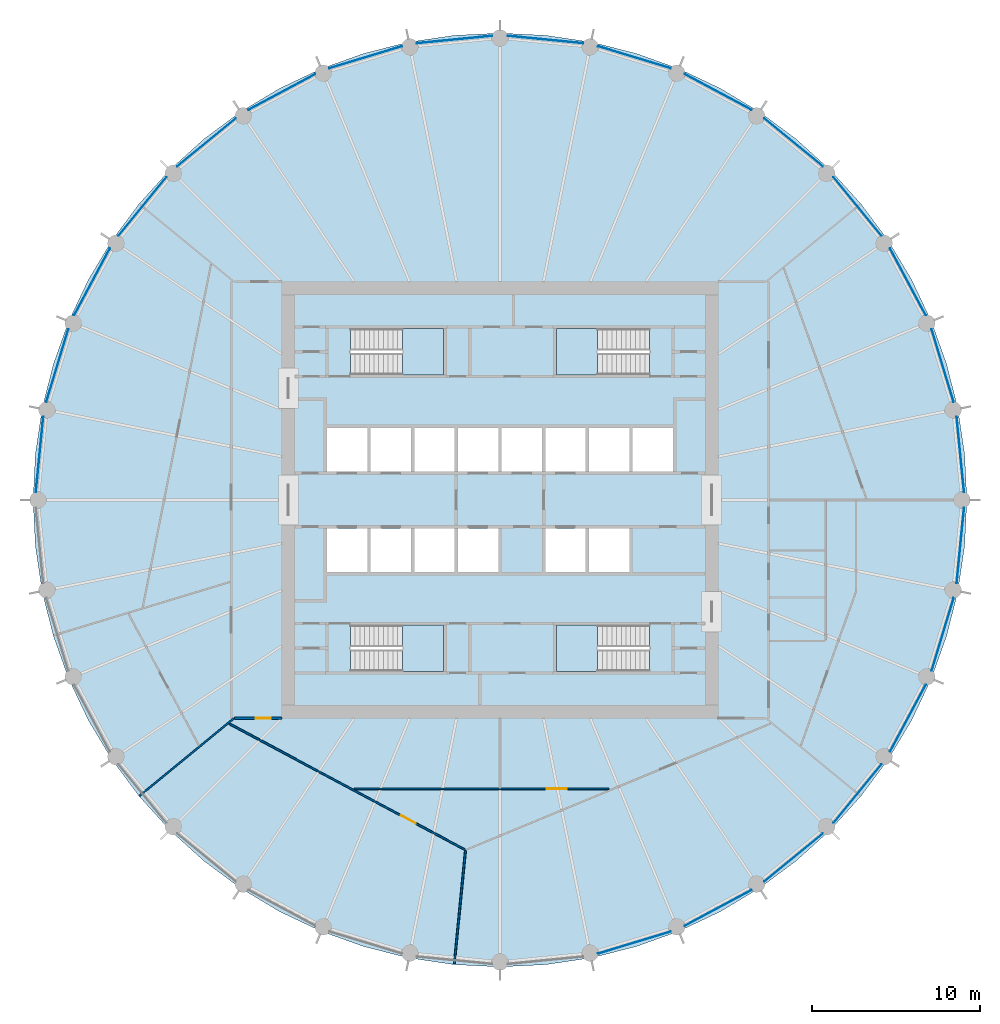
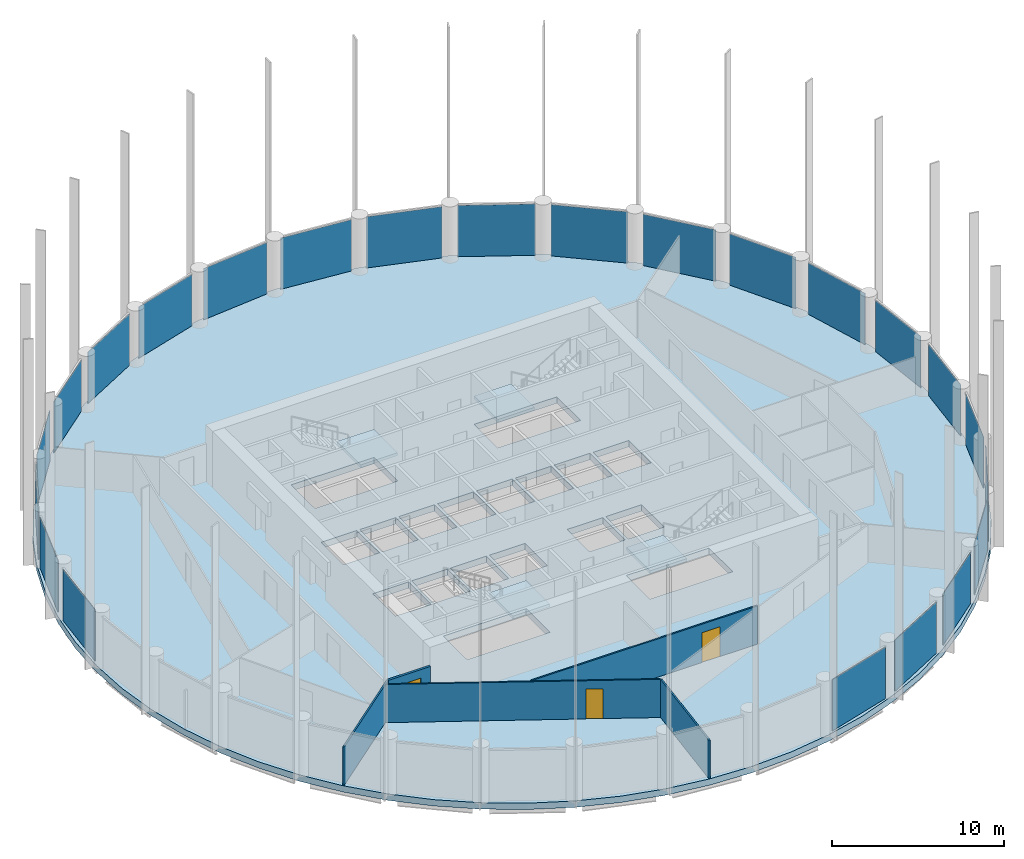
# One storey, part 3 of 8: 23 plates, 5 slabs, 5 walls, 3 doors, 3 openings, 27 elements without a shape of their own.
"""IFC4 building model written with IfcOpenShell, lengths in metres."""

from ifc_helpers import new_model, si_unit, direction, frame, frame_2d, origin, origin_2d, place, context, subcontext, project, spatial, polyline, rectangle, outline, extrude, material, layer, layer_set, type_object, element, fill, aggregate, save


model = new_model("IFC4")

# Units and contexts
model_context = context("Model", 3, precision=1e-05, world=origin(), true_north=direction((0.0, 1.0)))
body_context = subcontext(model_context, "Body", "Model", "MODEL_VIEW")
ifc_project = project(units=[si_unit("LENGTHUNIT", "METRE"), si_unit("AREAUNIT", "SQUARE_METRE"), si_unit("VOLUMEUNIT", "CUBIC_METRE"), si_unit("PLANEANGLEUNIT", "RADIAN"), si_unit("MASSUNIT", "GRAM", prefix="KILO")], contexts=[model_context])

# Site, building, storey
site_placement = place(None, origin())
site = spatial("IfcSite", under=ifc_project, at=site_placement, CompositionType="ELEMENT")
building_placement = place(site_placement, origin())
building = spatial("IfcBuilding", under=site, at=building_placement, Name="Corvane Civic Tower", CompositionType="ELEMENT")
storey_placement = place(building_placement, frame((0.0, 0.0, 201.5)))
storey = spatial("IfcBuildingStorey", under=building, at=storey_placement, Name="L47", CompositionType="ELEMENT", Elevation=201.5)

# Stair, slab
ifc_material_1 = material(Name="Concrete C40/50", Category="concrete")
stair_type = type_object("IfcStairType", Name="ST-STAIR-HALFTURN", PredefinedType="HALF_TURN_STAIR", material=ifc_material_1)
stair_1_placement = place(storey_placement, origin())
stair_1 = element("IfcStair", 1, at=stair_1_placement, inside=storey, type_object=stair_type, Name="L47 Exit stair ST1", PredefinedType="HALF_TURN_STAIR")
ifc_material_2 = material(Name="Concrete C40/50", Category="concrete")
ifc_layer_1 = layer(ifc_material_2, 0.199951171875)
ifc_layer_set_1 = layer_set([ifc_layer_1], Name="Concrete C40/50")
slab_type_1 = type_object("IfcSlabType", Name="ST-LANDING-RC", PredefinedType="LANDING", material=ifc_layer_set_1)
slab_1_placement = place(storey_placement, frame((0.0, 0.0, 1.800048828125)))
slab_1 = element("IfcSlab", 2, at=slab_1_placement, type_object=slab_type_1, Name="ST1 landing 1", PredefinedType="LANDING", context=body_context, shape_type="SweptSolid", body=[
    extrude(outline(polyline([(5.820068359375, 10.199951171875), (3.35009765625, 10.199951171875), (3.35009765625, 7.449951171875), (5.820068359375, 7.449951171875), (5.820068359375, 10.199951171875)])), origin(), (0.0, 0.0, 1.0), 0.199951171875),
])
aggregate(stair_1, [slab_1])

stair_2_placement = place(storey_placement, origin())
stair_2 = element("IfcStair", 3, at=stair_2_placement, inside=storey, type_object=stair_type, Name="L47 Exit stair ST2", PredefinedType="HALF_TURN_STAIR")
slab_2_placement = place(storey_placement, frame((0.0, 0.0, 1.800048828125)))
slab_2 = element("IfcSlab", 4, at=slab_2_placement, type_object=slab_type_1, Name="ST2 landing 1", PredefinedType="LANDING", context=body_context, shape_type="SweptSolid", body=[
    extrude(outline(polyline([(5.820068359375, -7.449951171875), (3.35009765625, -7.449951171875), (3.35009765625, -10.199951171875), (5.820068359375, -10.199951171875), (5.820068359375, -7.449951171875)])), origin(), (0.0, 0.0, 1.0), 0.199951171875),
])
aggregate(stair_2, [slab_2])

stair_3_placement = place(storey_placement, origin())
stair_3 = element("IfcStair", 5, at=stair_3_placement, inside=storey, type_object=stair_type, Name="L47 Exit stair ST3", PredefinedType="HALF_TURN_STAIR")
slab_3_placement = place(storey_placement, frame((0.0, 0.0, 1.800048828125)))
slab_3 = element("IfcSlab", 6, at=slab_3_placement, type_object=slab_type_1, Name="ST3 landing 1", PredefinedType="LANDING", context=body_context, shape_type="SweptSolid", body=[
    extrude(outline(polyline([(-5.820068359375, -10.199951171875), (-3.35009765625, -10.199951171875), (-3.35009765625, -7.449951171875), (-5.820068359375, -7.449951171875), (-5.820068359375, -10.199951171875)])), origin(), (0.0, 0.0, 1.0), 0.199951171875),
])
aggregate(stair_3, [slab_3])

stair_4_placement = place(storey_placement, origin())
stair_4 = element("IfcStair", 7, at=stair_4_placement, inside=storey, type_object=stair_type, Name="L47 Exit stair ST4", PredefinedType="HALF_TURN_STAIR")
slab_4_placement = place(storey_placement, frame((0.0, 0.0, 1.800048828125)))
slab_4 = element("IfcSlab", 8, at=slab_4_placement, type_object=slab_type_1, Name="ST4 landing 1", PredefinedType="LANDING", context=body_context, shape_type="SweptSolid", body=[
    extrude(outline(polyline([(-5.820068359375, 7.449951171875), (-3.35009765625, 7.449951171875), (-3.35009765625, 10.199951171875), (-5.820068359375, 10.199951171875), (-5.820068359375, 7.449951171875)])), origin(), (0.0, 0.0, 1.0), 0.199951171875),
])
aggregate(stair_4, [slab_4])

# Curtain wall, plate
ifc_material_3 = material(Name="Anodised aluminium bronze", Category="aluminium")
curtain_wall_type = type_object("IfcCurtainWallType", Name="TOWER CW-T2 STICK CURTAIN WALL", PredefinedType="NOTDEFINED", material=ifc_material_3)
curtain_wall_1_placement = place(storey_placement, origin())
curtain_wall_1 = element("IfcCurtainWall", 9, at=curtain_wall_1_placement, inside=storey, type_object=curtain_wall_type, Name="Curtain wall CW-T2 L47 bay 01", PredefinedType="NOTDEFINED")
ifc_material_4 = material(Name="Tinted glass", Category="glass")
ifc_layer_2 = layer(ifc_material_4, 0.031982421875)
ifc_layer_set_2 = layer_set([ifc_layer_2], Name="Tinted glass")
plate_type = type_object("IfcPlateType", Name="TOWER CW-T2 PANEL IGU32", PredefinedType="CURTAIN_PANEL", material=ifc_layer_set_2)
plate_1_placement = place(storey_placement, frame((2.699951171875, 27.4140625, 0.0), z_axis=(0.0, 0.0, 1.0), x_axis=(0.995187058378, -0.097993463235, 0.0)))
plate_1 = element("IfcPlate", 10, at=plate_1_placement, type_object=plate_type, Name="Glass panel CW-T2 L47 01.1", PredefinedType="CURTAIN_PANEL", context=body_context, shape_type="SweptSolid", body=[
    extrude(rectangle(XDim=4.517333984375, YDim=0.031982421875, at=origin_2d()), origin(), (0.0, 0.0, 1.0), 3.6298828125),
])
aggregate(curtain_wall_1, [plate_1])

curtain_wall_2_placement = place(storey_placement, origin())
curtain_wall_2 = element("IfcCurtainWall", 11, at=curtain_wall_2_placement, inside=storey, type_object=curtain_wall_type, Name="Curtain wall CW-T2 L47 bay 02", PredefinedType="NOTDEFINED")
plate_2_placement = place(storey_placement, frame((7.996337890625, 26.360595703125, 0.0), z_axis=(0.0, 0.0, 1.0), x_axis=(0.956938843612, -0.290289596069, 0.0)))
plate_2 = element("IfcPlate", 12, at=plate_2_placement, type_object=plate_type, Name="Glass panel CW-T2 L47 02.1", PredefinedType="CURTAIN_PANEL", context=body_context, shape_type="SweptSolid", body=[
    extrude(rectangle(XDim=4.517333984375, YDim=0.031982421875, at=origin_2d()), origin(), (0.0, 0.0, 1.0), 3.6298828125),
])
aggregate(curtain_wall_2, [plate_2])

curtain_wall_3_placement = place(storey_placement, origin())
curtain_wall_3 = element("IfcCurtainWall", 13, at=curtain_wall_3_placement, inside=storey, type_object=curtain_wall_type, Name="Curtain wall CW-T2 L47 bay 03", PredefinedType="NOTDEFINED")
plate_3_placement = place(storey_placement, frame((12.9853515625, 24.294189453125, 0.0), z_axis=(0.0, 0.0, 1.0), x_axis=(0.881920381001, -0.471398389449, 0.0)))
plate_3 = element("IfcPlate", 14, at=plate_3_placement, type_object=plate_type, Name="Glass panel CW-T2 L47 03.1", PredefinedType="CURTAIN_PANEL", context=body_context, shape_type="SweptSolid", body=[
    extrude(rectangle(XDim=4.517333984375, YDim=0.031982421875, at=origin_2d()), origin(), (0.0, 0.0, 1.0), 3.6298828125),
])
aggregate(curtain_wall_3, [plate_3])

curtain_wall_4_placement = place(storey_placement, origin())
curtain_wall_4 = element("IfcCurtainWall", 15, at=curtain_wall_4_placement, inside=storey, type_object=curtain_wall_type, Name="Curtain wall CW-T2 L47 bay 04", PredefinedType="NOTDEFINED")
plate_4_placement = place(storey_placement, frame((17.475341796875, 21.2939453125, 0.0), z_axis=(0.0, 0.0, 1.0), x_axis=(0.773012269331, -0.634391071394, 0.0)))
plate_4 = element("IfcPlate", 16, at=plate_4_placement, type_object=plate_type, Name="Glass panel CW-T2 L47 04.1", PredefinedType="CURTAIN_PANEL", context=body_context, shape_type="SweptSolid", body=[
    extrude(rectangle(XDim=4.517333984375, YDim=0.031982421875, at=origin_2d()), origin(), (0.0, 0.0, 1.0), 3.6298828125),
])
aggregate(curtain_wall_4, [plate_4])

curtain_wall_5_placement = place(storey_placement, origin())
curtain_wall_5 = element("IfcCurtainWall", 17, at=curtain_wall_5_placement, inside=storey, type_object=curtain_wall_type, Name="Curtain wall CW-T2 L47 bay 05", PredefinedType="NOTDEFINED")
plate_5_placement = place(storey_placement, frame((21.2939453125, 17.475341796875, 0.0), z_axis=(0.0, 0.0, 1.0), x_axis=(0.634391071394, -0.773012269331, 0.0)))
plate_5 = element("IfcPlate", 18, at=plate_5_placement, type_object=plate_type, Name="Glass panel CW-T2 L47 05.1", PredefinedType="CURTAIN_PANEL", context=body_context, shape_type="SweptSolid", body=[
    extrude(rectangle(XDim=4.517333984375, YDim=0.031982421875, at=origin_2d()), origin(), (0.0, 0.0, 1.0), 3.6298828125),
])
aggregate(curtain_wall_5, [plate_5])

curtain_wall_6_placement = place(storey_placement, origin())
curtain_wall_6 = element("IfcCurtainWall", 19, at=curtain_wall_6_placement, inside=storey, type_object=curtain_wall_type, Name="Curtain wall CW-T2 L47 bay 06", PredefinedType="NOTDEFINED")
plate_6_placement = place(storey_placement, frame((24.294189453125, 12.9853515625, 0.0), z_axis=(0.0, 0.0, 1.0), x_axis=(0.471398389449, -0.881920381001, 0.0)))
plate_6 = element("IfcPlate", 20, at=plate_6_placement, type_object=plate_type, Name="Glass panel CW-T2 L47 06.1", PredefinedType="CURTAIN_PANEL", context=body_context, shape_type="SweptSolid", body=[
    extrude(rectangle(XDim=4.517333984375, YDim=0.031982421875, at=origin_2d()), origin(), (0.0, 0.0, 1.0), 3.6298828125),
])
aggregate(curtain_wall_6, [plate_6])

curtain_wall_7_placement = place(storey_placement, origin())
curtain_wall_7 = element("IfcCurtainWall", 21, at=curtain_wall_7_placement, inside=storey, type_object=curtain_wall_type, Name="Curtain wall CW-T2 L47 bay 07", PredefinedType="NOTDEFINED")
plate_7_placement = place(storey_placement, frame((26.360595703125, 7.996337890625, 0.0), z_axis=(0.0, 0.0, 1.0), x_axis=(0.290289596069, -0.956938843612, 0.0)))
plate_7 = element("IfcPlate", 22, at=plate_7_placement, type_object=plate_type, Name="Glass panel CW-T2 L47 07.1", PredefinedType="CURTAIN_PANEL", context=body_context, shape_type="SweptSolid", body=[
    extrude(rectangle(XDim=4.517333984375, YDim=0.031982421875, at=origin_2d()), origin(), (0.0, 0.0, 1.0), 3.6298828125),
])
aggregate(curtain_wall_7, [plate_7])

curtain_wall_8_placement = place(storey_placement, origin())
curtain_wall_8 = element("IfcCurtainWall", 23, at=curtain_wall_8_placement, inside=storey, type_object=curtain_wall_type, Name="Curtain wall CW-T2 L47 bay 08", PredefinedType="NOTDEFINED")
plate_8_placement = place(storey_placement, frame((27.4140625, 2.699951171875, 0.0), z_axis=(0.0, 0.0, 1.0), x_axis=(0.097993463235, -0.995187058378, 0.0)))
plate_8 = element("IfcPlate", 24, at=plate_8_placement, type_object=plate_type, Name="Glass panel CW-T2 L47 08.1", PredefinedType="CURTAIN_PANEL", context=body_context, shape_type="SweptSolid", body=[
    extrude(rectangle(XDim=4.517333984375, YDim=0.031982421875, at=origin_2d()), origin(), (0.0, 0.0, 1.0), 3.6298828125),
])
aggregate(curtain_wall_8, [plate_8])

curtain_wall_9_placement = place(storey_placement, origin())
curtain_wall_9 = element("IfcCurtainWall", 25, at=curtain_wall_9_placement, inside=storey, type_object=curtain_wall_type, Name="Curtain wall CW-T2 L47 bay 09", PredefinedType="NOTDEFINED")
plate_9_placement = place(storey_placement, frame((27.4140625, -2.699951171875, 0.0), z_axis=(0.0, 0.0, 1.0), x_axis=(-0.097993463235, -0.995187058378, 0.0)))
plate_9 = element("IfcPlate", 26, at=plate_9_placement, type_object=plate_type, Name="Glass panel CW-T2 L47 09.1", PredefinedType="CURTAIN_PANEL", context=body_context, shape_type="SweptSolid", body=[
    extrude(rectangle(XDim=4.517333984375, YDim=0.031982421875, at=origin_2d()), origin(), (0.0, 0.0, 1.0), 3.6298828125),
])
aggregate(curtain_wall_9, [plate_9])

curtain_wall_10_placement = place(storey_placement, origin())
curtain_wall_10 = element("IfcCurtainWall", 27, at=curtain_wall_10_placement, inside=storey, type_object=curtain_wall_type, Name="Curtain wall CW-T2 L47 bay 10", PredefinedType="NOTDEFINED")
plate_10_placement = place(storey_placement, frame((26.360595703125, -7.996337890625, 0.0), z_axis=(0.0, 0.0, 1.0), x_axis=(-0.290289596069, -0.956938843612, 0.0)))
plate_10 = element("IfcPlate", 28, at=plate_10_placement, type_object=plate_type, Name="Glass panel CW-T2 L47 10.1", PredefinedType="CURTAIN_PANEL", context=body_context, shape_type="SweptSolid", body=[
    extrude(rectangle(XDim=4.517333984375, YDim=0.031982421875, at=origin_2d()), origin(), (0.0, 0.0, 1.0), 3.6298828125),
])
aggregate(curtain_wall_10, [plate_10])

curtain_wall_11_placement = place(storey_placement, origin())
curtain_wall_11 = element("IfcCurtainWall", 29, at=curtain_wall_11_placement, inside=storey, type_object=curtain_wall_type, Name="Curtain wall CW-T2 L47 bay 11", PredefinedType="NOTDEFINED")
plate_11_placement = place(storey_placement, frame((24.294189453125, -12.9853515625, 0.0), z_axis=(0.0, 0.0, 1.0), x_axis=(-0.471398389449, -0.881920381001, 0.0)))
plate_11 = element("IfcPlate", 30, at=plate_11_placement, type_object=plate_type, Name="Glass panel CW-T2 L47 11.1", PredefinedType="CURTAIN_PANEL", context=body_context, shape_type="SweptSolid", body=[
    extrude(rectangle(XDim=4.517333984375, YDim=0.031982421875, at=origin_2d()), origin(), (0.0, 0.0, 1.0), 3.6298828125),
])
aggregate(curtain_wall_11, [plate_11])

curtain_wall_12_placement = place(storey_placement, origin())
curtain_wall_12 = element("IfcCurtainWall", 31, at=curtain_wall_12_placement, inside=storey, type_object=curtain_wall_type, Name="Curtain wall CW-T2 L47 bay 12", PredefinedType="NOTDEFINED")
plate_12_placement = place(storey_placement, frame((21.2939453125, -17.475341796875, 0.0), z_axis=(0.0, 0.0, 1.0), x_axis=(-0.634391071394, -0.773012269331, 0.0)))
plate_12 = element("IfcPlate", 32, at=plate_12_placement, type_object=plate_type, Name="Glass panel CW-T2 L47 12.1", PredefinedType="CURTAIN_PANEL", context=body_context, shape_type="SweptSolid", body=[
    extrude(rectangle(XDim=4.517333984375, YDim=0.031982421875, at=origin_2d()), origin(), (0.0, 0.0, 1.0), 3.6298828125),
])
aggregate(curtain_wall_12, [plate_12])

curtain_wall_13_placement = place(storey_placement, origin())
curtain_wall_13 = element("IfcCurtainWall", 33, at=curtain_wall_13_placement, inside=storey, type_object=curtain_wall_type, Name="Curtain wall CW-T2 L47 bay 13", PredefinedType="NOTDEFINED")
plate_13_placement = place(storey_placement, frame((17.475341796875, -21.2939453125, 0.0), z_axis=(0.0, 0.0, 1.0), x_axis=(-0.773012269331, -0.634391071394, 0.0)))
plate_13 = element("IfcPlate", 34, at=plate_13_placement, type_object=plate_type, Name="Glass panel CW-T2 L47 13.1", PredefinedType="CURTAIN_PANEL", context=body_context, shape_type="SweptSolid", body=[
    extrude(rectangle(XDim=4.517333984375, YDim=0.031982421875, at=origin_2d()), origin(), (0.0, 0.0, 1.0), 3.6298828125),
])
aggregate(curtain_wall_13, [plate_13])

curtain_wall_14_placement = place(storey_placement, origin())
curtain_wall_14 = element("IfcCurtainWall", 35, at=curtain_wall_14_placement, inside=storey, type_object=curtain_wall_type, Name="Curtain wall CW-T2 L47 bay 14", PredefinedType="NOTDEFINED")
plate_14_placement = place(storey_placement, frame((12.9853515625, -24.294189453125, 0.0), z_axis=(0.0, 0.0, 1.0), x_axis=(-0.881920381001, -0.471398389449, 0.0)))
plate_14 = element("IfcPlate", 36, at=plate_14_placement, type_object=plate_type, Name="Glass panel CW-T2 L47 14.1", PredefinedType="CURTAIN_PANEL", context=body_context, shape_type="SweptSolid", body=[
    extrude(rectangle(XDim=4.517333984375, YDim=0.031982421875, at=origin_2d()), origin(), (0.0, 0.0, 1.0), 3.6298828125),
])
aggregate(curtain_wall_14, [plate_14])

curtain_wall_15_placement = place(storey_placement, origin())
curtain_wall_15 = element("IfcCurtainWall", 37, at=curtain_wall_15_placement, inside=storey, type_object=curtain_wall_type, Name="Curtain wall CW-T2 L47 bay 15", PredefinedType="NOTDEFINED")
plate_15_placement = place(storey_placement, frame((7.996337890625, -26.360595703125, 0.0), z_axis=(0.0, 0.0, 1.0), x_axis=(-0.956938843612, -0.290289596069, 0.0)))
plate_15 = element("IfcPlate", 38, at=plate_15_placement, type_object=plate_type, Name="Glass panel CW-T2 L47 15.1", PredefinedType="CURTAIN_PANEL", context=body_context, shape_type="SweptSolid", body=[
    extrude(rectangle(XDim=4.517333984375, YDim=0.031982421875, at=origin_2d()), origin(), (0.0, 0.0, 1.0), 3.6298828125),
])
aggregate(curtain_wall_15, [plate_15])

curtain_wall_16_placement = place(storey_placement, origin())
curtain_wall_16 = element("IfcCurtainWall", 39, at=curtain_wall_16_placement, inside=storey, type_object=curtain_wall_type, Name="Curtain wall CW-T2 L47 bay 25", PredefinedType="NOTDEFINED")
plate_16_placement = place(storey_placement, frame((-27.4140625, 2.699951171875, 0.0), z_axis=(0.0, 0.0, 1.0), x_axis=(0.097993463235, 0.995187058378, 0.0)))
plate_16 = element("IfcPlate", 40, at=plate_16_placement, type_object=plate_type, Name="Glass panel CW-T2 L47 25.1", PredefinedType="CURTAIN_PANEL", context=body_context, shape_type="SweptSolid", body=[
    extrude(rectangle(XDim=4.517333984375, YDim=0.031982421875, at=origin_2d()), origin(), (0.0, 0.0, 1.0), 3.6298828125),
])
aggregate(curtain_wall_16, [plate_16])

curtain_wall_17_placement = place(storey_placement, origin())
curtain_wall_17 = element("IfcCurtainWall", 41, at=curtain_wall_17_placement, inside=storey, type_object=curtain_wall_type, Name="Curtain wall CW-T2 L47 bay 26", PredefinedType="NOTDEFINED")
plate_17_placement = place(storey_placement, frame((-26.360595703125, 7.996337890625, 0.0), z_axis=(0.0, 0.0, 1.0), x_axis=(0.290289596069, 0.956938843612, 0.0)))
plate_17 = element("IfcPlate", 42, at=plate_17_placement, type_object=plate_type, Name="Glass panel CW-T2 L47 26.1", PredefinedType="CURTAIN_PANEL", context=body_context, shape_type="SweptSolid", body=[
    extrude(rectangle(XDim=4.517333984375, YDim=0.031982421875, at=origin_2d()), origin(), (0.0, 0.0, 1.0), 3.6298828125),
])
aggregate(curtain_wall_17, [plate_17])

curtain_wall_18_placement = place(storey_placement, origin())
curtain_wall_18 = element("IfcCurtainWall", 43, at=curtain_wall_18_placement, inside=storey, type_object=curtain_wall_type, Name="Curtain wall CW-T2 L47 bay 27", PredefinedType="NOTDEFINED")
plate_18_placement = place(storey_placement, frame((-24.294189453125, 12.9853515625, 0.0), z_axis=(0.0, 0.0, 1.0), x_axis=(0.471398389449, 0.881920381001, 0.0)))
plate_18 = element("IfcPlate", 44, at=plate_18_placement, type_object=plate_type, Name="Glass panel CW-T2 L47 27.1", PredefinedType="CURTAIN_PANEL", context=body_context, shape_type="SweptSolid", body=[
    extrude(rectangle(XDim=4.517333984375, YDim=0.031982421875, at=origin_2d()), origin(), (0.0, 0.0, 1.0), 3.6298828125),
])
aggregate(curtain_wall_18, [plate_18])

curtain_wall_19_placement = place(storey_placement, origin())
curtain_wall_19 = element("IfcCurtainWall", 45, at=curtain_wall_19_placement, inside=storey, type_object=curtain_wall_type, Name="Curtain wall CW-T2 L47 bay 28", PredefinedType="NOTDEFINED")
plate_19_placement = place(storey_placement, frame((-21.2939453125, 17.475341796875, 0.0), z_axis=(0.0, 0.0, 1.0), x_axis=(0.634391071394, 0.773012269331, 0.0)))
plate_19 = element("IfcPlate", 46, at=plate_19_placement, type_object=plate_type, Name="Glass panel CW-T2 L47 28.1", PredefinedType="CURTAIN_PANEL", context=body_context, shape_type="SweptSolid", body=[
    extrude(rectangle(XDim=4.517333984375, YDim=0.031982421875, at=origin_2d()), origin(), (0.0, 0.0, 1.0), 3.6298828125),
])
aggregate(curtain_wall_19, [plate_19])

curtain_wall_20_placement = place(storey_placement, origin())
curtain_wall_20 = element("IfcCurtainWall", 47, at=curtain_wall_20_placement, inside=storey, type_object=curtain_wall_type, Name="Curtain wall CW-T2 L47 bay 29", PredefinedType="NOTDEFINED")
plate_20_placement = place(storey_placement, frame((-17.475341796875, 21.2939453125, 0.0), z_axis=(0.0, 0.0, 1.0), x_axis=(0.773012269331, 0.634391071394, 0.0)))
plate_20 = element("IfcPlate", 48, at=plate_20_placement, type_object=plate_type, Name="Glass panel CW-T2 L47 29.1", PredefinedType="CURTAIN_PANEL", context=body_context, shape_type="SweptSolid", body=[
    extrude(rectangle(XDim=4.517333984375, YDim=0.031982421875, at=origin_2d()), origin(), (0.0, 0.0, 1.0), 3.6298828125),
])
aggregate(curtain_wall_20, [plate_20])

curtain_wall_21_placement = place(storey_placement, origin())
curtain_wall_21 = element("IfcCurtainWall", 49, at=curtain_wall_21_placement, inside=storey, type_object=curtain_wall_type, Name="Curtain wall CW-T2 L47 bay 30", PredefinedType="NOTDEFINED")
plate_21_placement = place(storey_placement, frame((-12.9853515625, 24.294189453125, 0.0), z_axis=(0.0, 0.0, 1.0), x_axis=(0.881920381001, 0.471398389449, 0.0)))
plate_21 = element("IfcPlate", 50, at=plate_21_placement, type_object=plate_type, Name="Glass panel CW-T2 L47 30.1", PredefinedType="CURTAIN_PANEL", context=body_context, shape_type="SweptSolid", body=[
    extrude(rectangle(XDim=4.517333984375, YDim=0.031982421875, at=origin_2d()), origin(), (0.0, 0.0, 1.0), 3.6298828125),
])
aggregate(curtain_wall_21, [plate_21])

curtain_wall_22_placement = place(storey_placement, origin())
curtain_wall_22 = element("IfcCurtainWall", 51, at=curtain_wall_22_placement, inside=storey, type_object=curtain_wall_type, Name="Curtain wall CW-T2 L47 bay 31", PredefinedType="NOTDEFINED")
plate_22_placement = place(storey_placement, frame((-7.996337890625, 26.360595703125, 0.0), z_axis=(0.0, 0.0, 1.0), x_axis=(0.956938843612, 0.290289596069, 0.0)))
plate_22 = element("IfcPlate", 52, at=plate_22_placement, type_object=plate_type, Name="Glass panel CW-T2 L47 31.1", PredefinedType="CURTAIN_PANEL", context=body_context, shape_type="SweptSolid", body=[
    extrude(rectangle(XDim=4.517333984375, YDim=0.031982421875, at=origin_2d()), origin(), (0.0, 0.0, 1.0), 3.6298828125),
])
aggregate(curtain_wall_22, [plate_22])

curtain_wall_23_placement = place(storey_placement, origin())
curtain_wall_23 = element("IfcCurtainWall", 53, at=curtain_wall_23_placement, inside=storey, type_object=curtain_wall_type, Name="Curtain wall CW-T2 L47 bay 32", PredefinedType="NOTDEFINED")
plate_23_placement = place(storey_placement, frame((-2.699951171875, 27.4140625, 0.0), z_axis=(0.0, 0.0, 1.0), x_axis=(0.995187058378, 0.097993463235, 0.0)))
plate_23 = element("IfcPlate", 54, at=plate_23_placement, type_object=plate_type, Name="Glass panel CW-T2 L47 32.1", PredefinedType="CURTAIN_PANEL", context=body_context, shape_type="SweptSolid", body=[
    extrude(rectangle(XDim=4.517333984375, YDim=0.031982421875, at=origin_2d()), origin(), (0.0, 0.0, 1.0), 3.6298828125),
])
aggregate(curtain_wall_23, [plate_23])

# Slab
ifc_material_5 = material(Name="Concrete C50/60", Category="concrete")
ifc_layer_3 = layer(ifc_material_5, 0.449951171875)
ifc_layer_set_3 = layer_set([ifc_layer_3], Name="Concrete C50/60")
slab_type_2 = type_object("IfcSlabType", Name="TRANSFER FLOOR SLAB 450", PredefinedType="FLOOR", material=ifc_layer_set_3)
slab_5_placement = place(storey_placement, frame((0.0, 0.0, -0.449951171875)))
element("IfcSlab", 55, at=slab_5_placement, inside=storey, type_object=slab_type_2, Name="SLB-L47", PredefinedType="FLOOR", context=body_context, shape_type="SweptSolid", body=[
    extrude(outline(polyline([(0.0, 27.800048828125), (-2.724853515625, 27.666015625), (-5.423583984375, 27.265869140625), (-8.06982421875, 26.60302734375), (-10.638671875, 25.683837890625), (-13.104736328125, 24.517333984375), (-15.44482421875, 23.11474609375), (-17.63623046875, 21.48974609375), (-19.657470703125, 19.657470703125), (-21.48974609375, 17.63623046875), (-23.11474609375, 15.44482421875), (-24.517333984375, 13.104736328125), (-25.683837890625, 10.638671875), (-26.60302734375, 8.06982421875), (-27.265869140625, 5.423583984375), (-27.666015625, 2.724853515625), (-27.800048828125, 0.0), (-27.666015625, -2.724853515625), (-27.265869140625, -5.423583984375), (-26.60302734375, -8.06982421875), (-25.683837890625, -10.638671875), (-24.517333984375, -13.104736328125), (-23.11474609375, -15.44482421875), (-21.48974609375, -17.63623046875), (-19.657470703125, -19.657470703125), (-17.63623046875, -21.48974609375), (-15.44482421875, -23.11474609375), (-13.104736328125, -24.517333984375), (-10.638671875, -25.683837890625), (-8.06982421875, -26.60302734375), (-5.423583984375, -27.265869140625), (-2.724853515625, -27.666015625), (0.0, -27.800048828125), (2.724853515625, -27.666015625), (5.423583984375, -27.265869140625), (8.06982421875, -26.60302734375), (10.638671875, -25.683837890625), (13.104736328125, -24.517333984375), (15.44482421875, -23.11474609375), (17.63623046875, -21.48974609375), (19.657470703125, -19.657470703125), (21.48974609375, -17.63623046875), (23.11474609375, -15.44482421875), (24.517333984375, -13.104736328125), (25.683837890625, -10.638671875), (26.60302734375, -8.06982421875), (27.265869140625, -5.423583984375), (27.666015625, -2.724853515625), (27.800048828125, 0.0), (27.666015625, 2.724853515625), (27.265869140625, 5.423583984375), (26.60302734375, 8.06982421875), (25.683837890625, 10.638671875), (24.517333984375, 13.104736328125), (23.11474609375, 15.44482421875), (21.48974609375, 17.63623046875), (19.657470703125, 19.657470703125), (17.63623046875, 21.48974609375), (15.44482421875, 23.11474609375), (13.104736328125, 24.517333984375), (10.638671875, 25.683837890625), (8.06982421875, 26.60302734375), (5.423583984375, 27.265869140625), (2.724853515625, 27.666015625), (0.0, 27.800048828125)]), holes=[polyline([(-7.89990234375, 1.699951171875), (-10.300048828125, 1.699951171875), (-10.300048828125, 4.300048828125), (-7.89990234375, 4.300048828125), (-7.89990234375, 1.699951171875)]), polyline([(-5.300048828125, 1.699951171875), (-7.699951171875, 1.699951171875), (-7.699951171875, 4.300048828125), (-5.300048828125, 4.300048828125), (-5.300048828125, 1.699951171875)]), polyline([(-5.10009765625, 4.300048828125), (-2.699951171875, 4.300048828125), (-2.699951171875, 1.699951171875), (-5.10009765625, 1.699951171875), (-5.10009765625, 4.300048828125)]), polyline([(-2.5, 4.300048828125), (-0.10009765625, 4.300048828125), (-0.10009765625, 1.699951171875), (-2.5, 1.699951171875), (-2.5, 4.300048828125)]), polyline([(0.10009765625, 4.300048828125), (2.5, 4.300048828125), (2.5, 1.699951171875), (0.10009765625, 1.699951171875), (0.10009765625, 4.300048828125)]), polyline([(2.699951171875, 4.300048828125), (5.10009765625, 4.300048828125), (5.10009765625, 1.699951171875), (2.699951171875, 1.699951171875), (2.699951171875, 4.300048828125)]), polyline([(5.300048828125, 4.300048828125), (7.699951171875, 4.300048828125), (7.699951171875, 1.699951171875), (5.300048828125, 1.699951171875), (5.300048828125, 4.300048828125)]), polyline([(7.89990234375, 4.300048828125), (10.300048828125, 4.300048828125), (10.300048828125, 1.699951171875), (7.89990234375, 1.699951171875), (7.89990234375, 4.300048828125)]), polyline([(-10.300048828125, -4.300048828125), (-10.300048828125, -1.699951171875), (-7.89990234375, -1.699951171875), (-7.89990234375, -4.300048828125), (-10.300048828125, -4.300048828125)]), polyline([(-5.300048828125, -1.699951171875), (-5.300048828125, -4.300048828125), (-7.699951171875, -4.300048828125), (-7.699951171875, -1.699951171875), (-5.300048828125, -1.699951171875)]), polyline([(-5.10009765625, -4.300048828125), (-5.10009765625, -1.699951171875), (-2.699951171875, -1.699951171875), (-2.699951171875, -4.300048828125), (-5.10009765625, -4.300048828125)]), polyline([(-0.10009765625, -1.699951171875), (-0.10009765625, -4.300048828125), (-2.5, -4.300048828125), (-2.5, -1.699951171875), (-0.10009765625, -1.699951171875)]), polyline([(5.10009765625, -1.699951171875), (5.10009765625, -4.300048828125), (2.699951171875, -4.300048828125), (2.699951171875, -1.699951171875), (5.10009765625, -1.699951171875)]), polyline([(7.699951171875, -1.699951171875), (7.699951171875, -4.300048828125), (5.300048828125, -4.300048828125), (5.300048828125, -1.699951171875), (7.699951171875, -1.699951171875)]), polyline([(8.889892578125, 10.199951171875), (8.889892578125, 7.449951171875), (3.35009765625, 7.449951171875), (3.35009765625, 10.199951171875), (8.889892578125, 10.199951171875)]), polyline([(-8.889892578125, 7.449951171875), (-8.889892578125, 10.199951171875), (-3.35009765625, 10.199951171875), (-3.35009765625, 7.449951171875), (-8.889892578125, 7.449951171875)]), polyline([(8.889892578125, -7.449951171875), (8.889892578125, -10.199951171875), (3.35009765625, -10.199951171875), (3.35009765625, -7.449951171875), (8.889892578125, -7.449951171875)]), polyline([(-8.889892578125, -10.199951171875), (-8.889892578125, -7.449951171875), (-3.35009765625, -7.449951171875), (-3.35009765625, -10.199951171875), (-8.889892578125, -10.199951171875)])]), origin(), (0.0, 0.0, 1.0), 0.449951171875),
])

# Wall
ifc_material_6 = material(Name="Plasterboard")
ifc_layer_4 = layer(ifc_material_6, 0.10009765625)
ifc_layer_set_4 = layer_set([ifc_layer_4], Name="Plasterboard")
wall_type_1 = type_object("IfcWallType", Name="Partition 100 plasterboard on studs", PredefinedType="PARTITIONING", material=ifc_layer_set_4)
wall_1_placement = place(storey_placement, frame((-2.719970703125, -27.616455078125, 0.0), z_axis=(0.0, 0.0, 1.0), x_axis=(0.09802284728, 0.99518416457, 0.0)))
element("IfcWall", 56, at=wall_1_placement, inside=storey, type_object=wall_type_1, Name="Partition L47.001", PredefinedType="PARTITIONING", context=body_context, shape_type="SweptSolid", body=[
    extrude(rectangle(XDim=6.774658203125, YDim=0.10009765625, at=frame_2d((3.38720703125, 0.0))), origin(), (0.0, 0.0, 1.0), 2.699951171875),
])

# Wall, opening, door
wall_2_placement = place(storey_placement, frame((-16.122314453125, -13.32080078125, 0.0), z_axis=(0.0, 0.0, 1.0), x_axis=(0.881922545284, -0.471394340355, 0.0)))
wall_2 = element("IfcWall", 57, at=wall_2_placement, inside=storey, type_object=wall_type_1, Name="Partition L47.002", PredefinedType="PARTITIONING", context=body_context, shape_type="SweptSolid", body=[
    extrude(rectangle(XDim=15.920166015625, YDim=0.10009765625, at=frame_2d((7.9599609375, 0.0))), origin(), (0.0, 0.0, 1.0), 2.699951171875),
])
opening_1_placement = place(wall_2_placement, frame((11.59130859375, 0.0, 0.0)))
opening_1 = element("IfcOpeningElement", 58, at=opening_1_placement, cuts=wall_2, Name="Opening L47.003", PredefinedType="OPENING", context=body_context, shape_type="SweptSolid", body=[
    extrude(rectangle(XDim=1.0, YDim=2.10009765625, at=frame_2d((0.5, 1.050048828125))), frame((0.0, 0.06005859375, 0.0), z_axis=(0.0, -1.0, 0.0), x_axis=(1.0, 0.0, 0.0)), (0.0, 0.0, 1.0), 0.1201171875),
])
ifc_material_7 = material(Name="Timber", Category="wood")
door_type_1 = type_object("IfcDoorType", Name="Single door 1000", OperationType="NOTDEFINED", PredefinedType="DOOR", material=ifc_material_7)
door_1_placement = place(opening_1_placement, frame((1.0, 0.0, 0.0), z_axis=(0.0, 0.0, 1.0), x_axis=(-1.0, 0.0, 0.0)))
door_1 = element("IfcDoor", 59, at=door_1_placement, inside=storey, type_object=door_type_1, Name="Door L47.003", OperationType="SINGLE_SWING_LEFT", OverallHeight=2.10009765625, OverallWidth=1.0, PredefinedType="DOOR", context=body_context, shape_type="SweptSolid", body=[
    extrude(rectangle(XDim=1.0, YDim=2.10009765625, at=frame_2d((0.5, 1.050048828125))), frame((0.0, 0.02490234375, 0.0), z_axis=(0.0, -1.0, 0.0), x_axis=(1.0, 0.0, 0.0)), (0.0, 0.0, 1.0), 0.050048828125),
])
fill(opening_1, door_1)

# Wall
wall_3_placement = place(storey_placement, frame((-21.451171875, -17.6044921875, 0.0), z_axis=(0.0, 0.0, 1.0), x_axis=(0.772997895748, 0.634408585352, 0.0)))
element("IfcWall", 60, at=wall_3_placement, inside=storey, type_object=wall_type_1, Name="Partition L47.004", PredefinedType="PARTITIONING", context=body_context, shape_type="SweptSolid", body=[
    extrude(rectangle(XDim=7.240234375, YDim=0.10009765625, at=frame_2d((3.6201171875, 0.0))), origin(), (0.0, 0.0, 1.0), 2.699951171875),
])

# Wall, opening, door
wall_4_placement = place(storey_placement, frame((-8.6650390625, -17.199951171875, 0.0), z_axis=(0.0, 0.0, 1.0), x_axis=(1.0, 0.0, 0.0)))
wall_4 = element("IfcWall", 61, at=wall_4_placement, inside=storey, type_object=wall_type_1, Name="Partition L47.006", PredefinedType="PARTITIONING", context=body_context, shape_type="SweptSolid", body=[
    extrude(rectangle(XDim=15.1513671875, YDim=0.10009765625, at=frame_2d((7.57568359375, 0.0))), origin(), (0.0, 0.0, 1.0), 2.699951171875),
])
opening_2_placement = place(wall_4_placement, frame((11.43408203125, 0.0, 0.0)))
opening_2 = element("IfcOpeningElement", 62, at=opening_2_placement, cuts=wall_4, Name="Opening L47.004", PredefinedType="OPENING", context=body_context, shape_type="SweptSolid", body=[
    extrude(rectangle(XDim=1.199951171875, YDim=2.10009765625, at=frame_2d((0.60009765625, 1.050048828125))), frame((0.0, 0.06005859375, 0.0), z_axis=(0.0, -1.0, 0.0), x_axis=(1.0, 0.0, 0.0)), (0.0, 0.0, 1.0), 0.1201171875),
])
ifc_material_8 = material(Name="Timber", Category="wood")
door_type_2 = type_object("IfcDoorType", Name="Double door 1200", OperationType="NOTDEFINED", PredefinedType="DOOR", material=ifc_material_8)
door_2_placement = place(opening_2_placement, frame((1.199951171875, 0.0, 0.0), z_axis=(0.0, 0.0, 1.0), x_axis=(-1.0, 0.0, 0.0)))
door_2 = element("IfcDoor", 63, at=door_2_placement, inside=storey, type_object=door_type_2, Name="Door L47.004", OperationType="DOUBLE_DOOR_SINGLE_SWING", OverallHeight=2.10009765625, OverallWidth=1.199951171875, PredefinedType="DOOR", context=body_context, shape_type="SweptSolid", body=[
    extrude(rectangle(XDim=1.199951171875, YDim=2.10009765625, at=frame_2d((0.60009765625, 1.050048828125))), frame((0.0, 0.02490234375, 0.0), z_axis=(0.0, -1.0, 0.0), x_axis=(1.0, 0.0, 0.0)), (0.0, 0.0, 1.0), 0.050048828125),
])
fill(opening_2, door_2)

ifc_material_9 = material(Name="Plasterboard")
ifc_layer_5 = layer(ifc_material_9, 0.14990234375)
ifc_layer_set_5 = layer_set([ifc_layer_5], Name="Plasterboard")
wall_type_2 = type_object("IfcWallType", Name="Tenancy wall 150 EI 60", PredefinedType="PARTITIONING", material=ifc_layer_set_5)
wall_5_placement = place(storey_placement, frame((-15.813720703125, -13.0, 0.0), z_axis=(0.0, 0.0, 1.0), x_axis=(1.0, 0.0, 0.0)))
wall_5 = element("IfcWall", 64, at=wall_5_placement, inside=storey, type_object=wall_type_2, Name="Partition L47.011", PredefinedType="PARTITIONING", context=body_context, shape_type="SweptSolid", body=[
    extrude(rectangle(XDim=2.82373046875, YDim=0.14990234375, at=frame_2d((1.411865234375, 0.0))), origin(), (0.0, 0.0, 1.0), 2.699951171875),
])
opening_3_placement = place(wall_5_placement, frame((1.274658203125, 0.0, 0.0)))
opening_3 = element("IfcOpeningElement", 65, at=opening_3_placement, cuts=wall_5, Name="Opening L47.006", PredefinedType="OPENING", context=body_context, shape_type="SweptSolid", body=[
    extrude(rectangle(XDim=0.89990234375, YDim=2.10009765625, at=frame_2d((0.449951171875, 1.050048828125))), frame((0.0, 0.0849609375, 0.0), z_axis=(0.0, -1.0, 0.0), x_axis=(1.0, 0.0, 0.0)), (0.0, 0.0, 1.0), 0.169921875),
])
ifc_material_10 = material(Name="Steel and timber", Category="steel")
door_type_3 = type_object("IfcDoorType", Name="Fire door FD30S 900", OperationType="NOTDEFINED", PredefinedType="DOOR", material=ifc_material_10)
door_3_placement = place(opening_3_placement, frame((0.89990234375, 0.0, 0.0), z_axis=(0.0, 0.0, 1.0), x_axis=(-1.0, 0.0, 0.0)))
door_3 = element("IfcDoor", 66, at=door_3_placement, inside=storey, type_object=door_type_3, Name="Door L47.006", OperationType="SINGLE_SWING_LEFT", OverallHeight=2.10009765625, OverallWidth=0.89990234375, PredefinedType="DOOR", context=body_context, shape_type="SweptSolid", body=[
    extrude(rectangle(XDim=0.89990234375, YDim=2.10009765625, at=frame_2d((0.449951171875, 1.050048828125))), frame((0.0, 0.02490234375, 0.0), z_axis=(0.0, -1.0, 0.0), x_axis=(1.0, 0.0, 0.0)), (0.0, 0.0, 1.0), 0.050048828125),
])
fill(opening_3, door_3)

save(model, "model.ifc")
